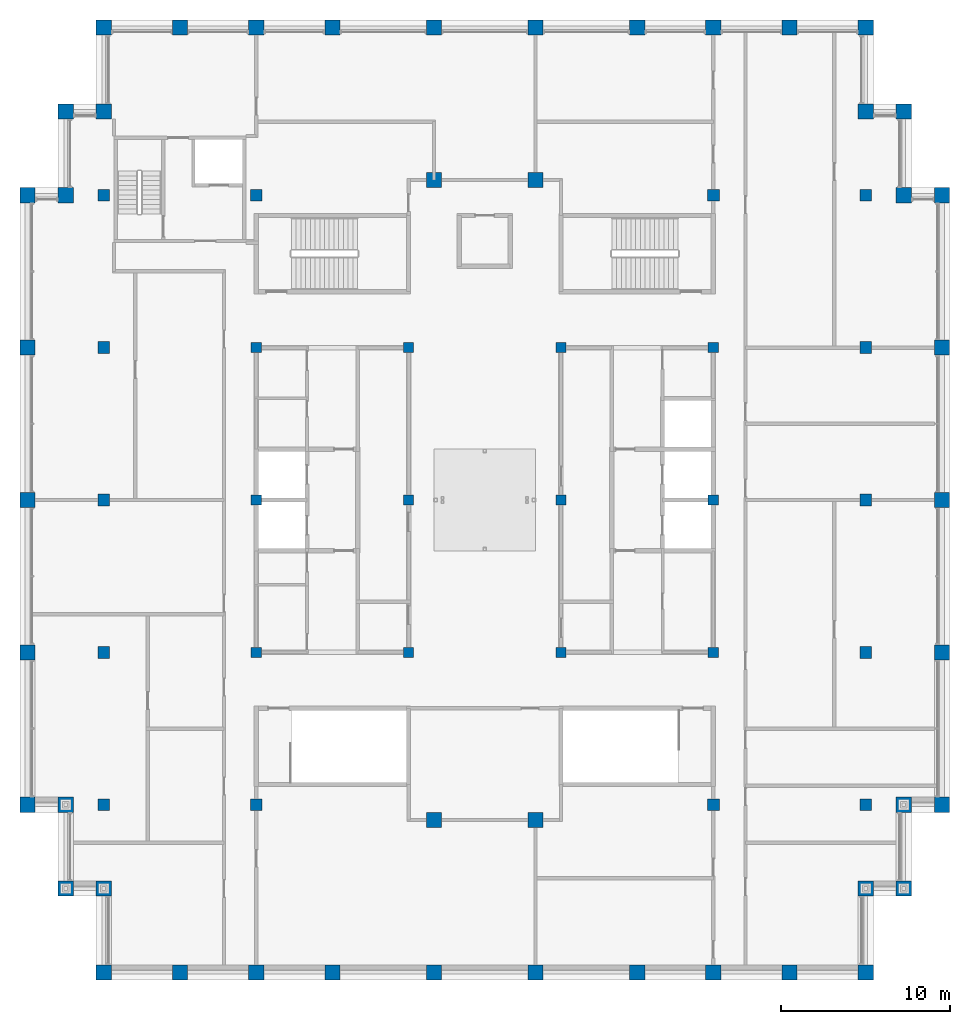
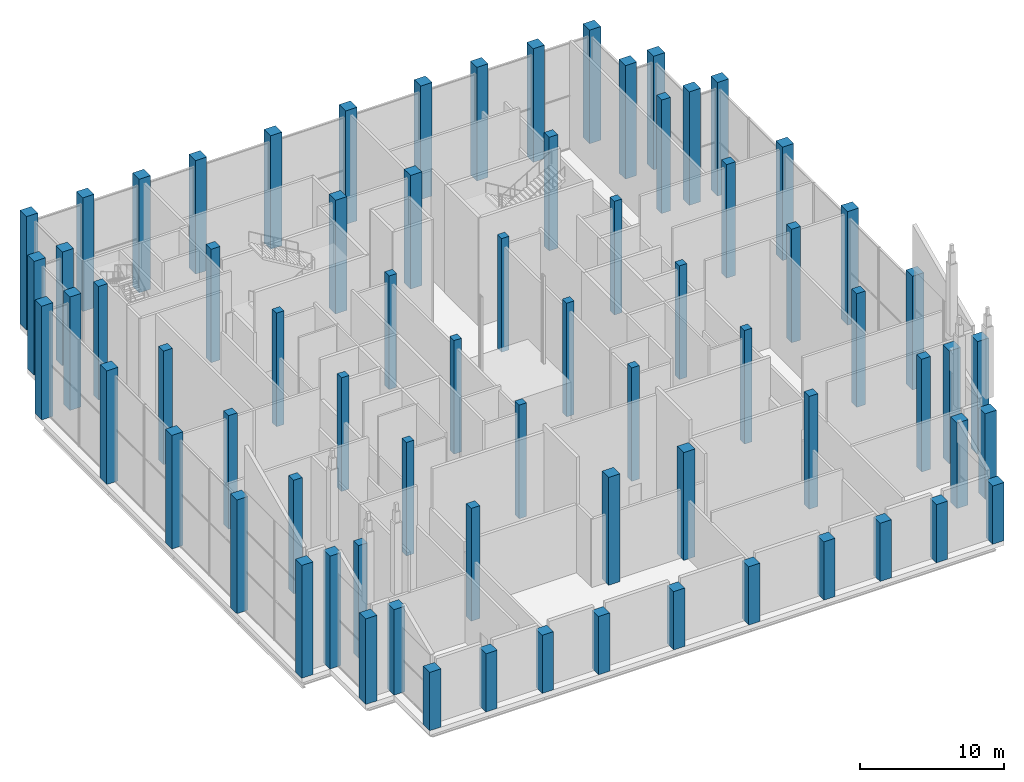
# One storey, part 1 of 16: 72 columns.
"""IFC4 building model written with IfcOpenShell, lengths in metres."""

from ifc_helpers import new_model, si_unit, direction, frame, origin, origin_2d, place, context, subcontext, project, spatial, rectangle, extrude, material, material_profile, profile_set, type_object, element, save


model = new_model("IFC4")

# Units and contexts
model_context = context("Model", 3, precision=1e-05, world=origin(), true_north=direction((0.0, 1.0)))
body_context = subcontext(model_context, "Body", "Model", "MODEL_VIEW")
ifc_project = project(units=[si_unit("LENGTHUNIT", "METRE"), si_unit("AREAUNIT", "SQUARE_METRE"), si_unit("VOLUMEUNIT", "CUBIC_METRE"), si_unit("PLANEANGLEUNIT", "RADIAN"), si_unit("MASSUNIT", "GRAM", prefix="KILO")], contexts=[model_context])

# Site, building, storey
site_placement = place(None, origin())
site = spatial("IfcSite", under=ifc_project, at=site_placement, CompositionType="ELEMENT")
building_placement = place(site_placement, origin())
building = spatial("IfcBuilding", under=site, at=building_placement, Name="Corbelhall Arena Tower", CompositionType="ELEMENT")
storey_placement = place(building_placement, frame((0.0, 0.0, 366.0)))
storey = spatial("IfcBuildingStorey", under=building, at=storey_placement, Name="L80", CompositionType="ELEMENT", Elevation=366.0)

# Columns
ifc_material = material(Name="Concrete C80/95", Category="concrete")
ifc_material_profile_1 = material_profile(ifc_material, rectangle(XDim=0.60009765625, YDim=0.60009765625, at=origin_2d()))
ifc_profile_set_1 = profile_set([ifc_material_profile_1], Name="Concrete C80/95")
column_type_1 = type_object("IfcColumnType", Name="ST-COL-RC 600x600", PredefinedType="COLUMN", material=ifc_profile_set_1)
for number, where, z_axis, x_axis, name in (
    (1, (4.5, 0.0, 0.0), (0.0, 0.0, 1.0), (1.0, 0.0, 0.0), "Column KE+0450+0000"),
    (2, (4.5, 9.0, 0.0), (0.0, 0.0, 1.0), (1.0, 0.0, 0.0), "Column KE+0450+0900"),
    (3, (4.5, -9.0, 0.0), (0.0, 0.0, 1.0), (1.0, 0.0, 0.0), "Column KE+0450-0900"),
    (4, (13.5, 0.0, 0.0), (0.0, 0.0, 1.0), (1.0, 0.0, 0.0), "Column KE+1350+0000"),
    (5, (13.5, 9.0, 0.0), (0.0, 0.0, 1.0), (1.0, 0.0, 0.0), "Column KE+1350+0900"),
    (6, (13.5, -9.0, 0.0), (0.0, 0.0, 1.0), (1.0, 0.0, 0.0), "Column KE+1350-0900"),
    (7, (-4.5, 0.0, 0.0), (0.0, 0.0, 1.0), (1.0, 0.0, 0.0), "Column KW-0450+0000"),
    (8, (-4.5, 9.0, 0.0), (0.0, 0.0, 1.0), (1.0, 0.0, 0.0), "Column KW-0450+0900"),
    (9, (-4.5, -9.0, 0.0), (0.0, 0.0, 1.0), (1.0, 0.0, 0.0), "Column KW-0450-0900"),
    (10, (-13.5, 0.0, 0.0), (0.0, 0.0, 1.0), (1.0, 0.0, 0.0), "Column KW-1350+0000"),
    (11, (-13.5, 9.0, 0.0), (0.0, 0.0, 1.0), (1.0, 0.0, 0.0), "Column KW-1350+0900"),
    (12, (-13.5, -9.0, 0.0), (0.0, 0.0, 1.0), (1.0, 0.0, 0.0), "Column KW-1350-0900"),
):
    element("IfcColumn", number, at=place(storey_placement, frame(where, z_axis=z_axis, x_axis=x_axis)), inside=storey, type_object=column_type_1, Name=name, PredefinedType="COLUMN", context=body_context, shape_type="SweptSolid", body=[
        extrude(rectangle(XDim=0.60009765625, YDim=0.60009765625, at=origin_2d()), origin(), (0.0, 0.0, 1.0), 9.599609375),
    ])
ifc_material_profile_2 = material_profile(ifc_material, rectangle(XDim=0.699951171875, YDim=0.699951171875, at=origin_2d()))
ifc_profile_set_2 = profile_set([ifc_material_profile_2], Name="Concrete C80/95")
column_type_2 = type_object("IfcColumnType", Name="ST-COL-RC 700x700", PredefinedType="COLUMN", material=ifc_profile_set_2)
column_1_placement = place(storey_placement, frame((13.5, 18.0, 0.0), z_axis=(0.0, 0.0, 1.0), x_axis=(1.0, 0.0, 0.0)))
element("IfcColumn", 13, at=column_1_placement, inside=storey, type_object=column_type_2, Name="Column IE13+1800", PredefinedType="COLUMN", context=body_context, shape_type="SweptSolid", body=[
    extrude(rectangle(XDim=0.699951171875, YDim=0.699951171875, at=origin_2d()), origin(), (0.0, 0.0, 1.0), 9.599609375),
])
column_2_placement = place(storey_placement, frame((13.5, -18.0, 0.0), z_axis=(0.0, 0.0, 1.0), x_axis=(1.0, 0.0, 0.0)))
element("IfcColumn", 14, at=column_2_placement, inside=storey, type_object=column_type_2, Name="Column IE13-1800", PredefinedType="COLUMN", context=body_context, shape_type="SweptSolid", body=[
    extrude(rectangle(XDim=0.699951171875, YDim=0.699951171875, at=origin_2d()), origin(), (0.0, 0.0, 1.0), 9.531982421875),
])
for number, where, z_axis, x_axis, name in (
    (15, (22.5, 0.0, 0.0), (0.0, 0.0, 1.0), (1.0, 0.0, 0.0), "Column IE22+0000"),
    (16, (22.5, 9.0, 0.0), (0.0, 0.0, 1.0), (1.0, 0.0, 0.0), "Column IE22+0900"),
    (17, (22.5, 18.0, 0.0), (0.0, 0.0, 1.0), (1.0, 0.0, 0.0), "Column IE22+1800"),
    (18, (22.5, -9.0, 0.0), (0.0, 0.0, 1.0), (1.0, 0.0, 0.0), "Column IE22-0900"),
):
    element("IfcColumn", number, at=place(storey_placement, frame(where, z_axis=z_axis, x_axis=x_axis)), inside=storey, type_object=column_type_2, Name=name, PredefinedType="COLUMN", context=body_context, shape_type="SweptSolid", body=[
        extrude(rectangle(XDim=0.699951171875, YDim=0.699951171875, at=origin_2d()), origin(), (0.0, 0.0, 1.0), 9.599609375),
    ])
column_3_placement = place(storey_placement, frame((22.5, -18.0, 0.0), z_axis=(0.0, 0.0, 1.0), x_axis=(1.0, 0.0, 0.0)))
element("IfcColumn", 19, at=column_3_placement, inside=storey, type_object=column_type_2, Name="Column IE22-1800", PredefinedType="COLUMN", context=body_context, shape_type="SweptSolid", body=[
    extrude(rectangle(XDim=0.699951171875, YDim=0.699951171875, at=origin_2d()), origin(), (0.0, 0.0, 1.0), 9.531982421875),
])
column_4_placement = place(storey_placement, frame((-13.5, 18.0, 0.0), z_axis=(0.0, 0.0, 1.0), x_axis=(1.0, 0.0, 0.0)))
element("IfcColumn", 20, at=column_4_placement, inside=storey, type_object=column_type_2, Name="Column IW13+1800", PredefinedType="COLUMN", context=body_context, shape_type="SweptSolid", body=[
    extrude(rectangle(XDim=0.699951171875, YDim=0.699951171875, at=origin_2d()), origin(), (0.0, 0.0, 1.0), 9.599609375),
])
column_5_placement = place(storey_placement, frame((-13.5, -18.0, 0.0), z_axis=(0.0, 0.0, 1.0), x_axis=(1.0, 0.0, 0.0)))
element("IfcColumn", 21, at=column_5_placement, inside=storey, type_object=column_type_2, Name="Column IW13-1800", PredefinedType="COLUMN", context=body_context, shape_type="SweptSolid", body=[
    extrude(rectangle(XDim=0.699951171875, YDim=0.699951171875, at=origin_2d()), origin(), (0.0, 0.0, 1.0), 9.531982421875),
])
for number, where, z_axis, x_axis, name in (
    (22, (-22.5, 0.0, 0.0), (0.0, 0.0, 1.0), (1.0, 0.0, 0.0), "Column IW22+0000"),
    (23, (-22.5, 9.0, 0.0), (0.0, 0.0, 1.0), (1.0, 0.0, 0.0), "Column IW22+0900"),
    (24, (-22.5, 18.0, 0.0), (0.0, 0.0, 1.0), (1.0, 0.0, 0.0), "Column IW22+1800"),
    (25, (-22.5, -9.0, 0.0), (0.0, 0.0, 1.0), (1.0, 0.0, 0.0), "Column IW22-0900"),
):
    element("IfcColumn", number, at=place(storey_placement, frame(where, z_axis=z_axis, x_axis=x_axis)), inside=storey, type_object=column_type_2, Name=name, PredefinedType="COLUMN", context=body_context, shape_type="SweptSolid", body=[
        extrude(rectangle(XDim=0.699951171875, YDim=0.699951171875, at=origin_2d()), origin(), (0.0, 0.0, 1.0), 9.599609375),
    ])
column_6_placement = place(storey_placement, frame((-22.5, -18.0, 0.0), z_axis=(0.0, 0.0, 1.0), x_axis=(1.0, 0.0, 0.0)))
element("IfcColumn", 26, at=column_6_placement, inside=storey, type_object=column_type_2, Name="Column IW22-1800", PredefinedType="COLUMN", context=body_context, shape_type="SweptSolid", body=[
    extrude(rectangle(XDim=0.699951171875, YDim=0.699951171875, at=origin_2d()), origin(), (0.0, 0.0, 1.0), 9.531982421875),
])
ifc_material_profile_3 = material_profile(ifc_material, rectangle(XDim=0.89990234375, YDim=0.89990234375, at=origin_2d()))
ifc_profile_set_3 = profile_set([ifc_material_profile_3], Name="Concrete C80/95")
column_type_3 = type_object("IfcColumnType", Name="ST-COL-RC 900x900", PredefinedType="COLUMN", material=ifc_profile_set_3)
for number, where, z_axis, x_axis, name in (
    (27, (27.0, 0.0, 0.0), (0.0, 0.0, 1.0), (0.0, 1.0, 0.0), "Column PE+0000"),
    (28, (27.0, 9.0, 0.0), (0.0, 0.0, 1.0), (0.0, 1.0, 0.0), "Column PE+0900"),
    (29, (27.0, 18.0, 0.0), (0.0, 0.0, 1.0), (0.0, 1.0, 0.0), "Column PE+1800"),
    (30, (27.0, -9.0, 0.0), (0.0, 0.0, 1.0), (0.0, 1.0, 0.0), "Column PE-0900"),
):
    element("IfcColumn", number, at=place(storey_placement, frame(where, z_axis=z_axis, x_axis=x_axis)), inside=storey, type_object=column_type_3, Name=name, PredefinedType="COLUMN", context=body_context, shape_type="SweptSolid", body=[
        extrude(rectangle(XDim=0.89990234375, YDim=0.89990234375, at=origin_2d()), origin(), (0.0, 0.0, 1.0), 9.599609375),
    ])
column_7_placement = place(storey_placement, frame((27.0, -18.0, 0.0), z_axis=(0.0, 0.0, 1.0), x_axis=(0.0, 1.0, 0.0)))
element("IfcColumn", 31, at=column_7_placement, inside=storey, type_object=column_type_3, Name="Column PE-1800", PredefinedType="COLUMN", context=body_context, shape_type="SweptSolid", body=[
    extrude(rectangle(XDim=0.89990234375, YDim=0.89990234375, at=origin_2d()), origin(), (0.0, 0.0, 1.0), 9.531982421875),
])
for number, where, z_axis, x_axis, name in (
    (32, (3.0, 27.89990234375, 0.0), (0.0, 0.0, 1.0), (1.0, 0.0, 0.0), "Column PNE0300"),
    (33, (9.0, 27.89990234375, 0.0), (0.0, 0.0, 1.0), (1.0, 0.0, 0.0), "Column PNE0900"),
    (34, (13.5, 27.89990234375, 0.0), (0.0, 0.0, 1.0), (1.0, 0.0, 0.0), "Column PNE1350"),
    (35, (18.0, 27.89990234375, 0.0), (0.0, 0.0, 1.0), (1.0, 0.0, 0.0), "Column PNE1800"),
    (36, (22.5, 27.89990234375, 0.0), (0.0, 0.0, 1.0), (1.0, 0.0, 0.0), "Column PNE2250"),
    (37, (-3.0, 27.89990234375, 0.0), (0.0, 0.0, 1.0), (1.0, 0.0, 0.0), "Column PNW0300"),
    (38, (-9.0, 27.89990234375, 0.0), (0.0, 0.0, 1.0), (1.0, 0.0, 0.0), "Column PNW0900"),
    (39, (-13.5, 27.89990234375, 0.0), (0.0, 0.0, 1.0), (1.0, 0.0, 0.0), "Column PNW1350"),
    (40, (-18.0, 27.89990234375, 0.0), (0.0, 0.0, 1.0), (1.0, 0.0, 0.0), "Column PNW1800"),
    (41, (-22.5, 27.89990234375, 0.0), (0.0, 0.0, 1.0), (1.0, 0.0, 0.0), "Column PNW2250"),
):
    element("IfcColumn", number, at=place(storey_placement, frame(where, z_axis=z_axis, x_axis=x_axis)), inside=storey, type_object=column_type_3, Name=name, PredefinedType="COLUMN", context=body_context, shape_type="SweptSolid", body=[
        extrude(rectangle(XDim=0.89990234375, YDim=0.89990234375, at=origin_2d()), origin(), (0.0, 0.0, 1.0), 9.599609375),
    ])
for number, where, z_axis, x_axis, name in (
    (42, (3.0, -27.89990234375, 0.0), (0.0, 0.0, 1.0), (1.0, 0.0, 0.0), "Column PSE0300"),
    (43, (9.0, -27.89990234375, 0.0), (0.0, 0.0, 1.0), (1.0, 0.0, 0.0), "Column PSE0900"),
    (44, (13.5, -27.89990234375, 0.0), (0.0, 0.0, 1.0), (1.0, 0.0, 0.0), "Column PSE1350"),
    (45, (18.0, -27.89990234375, 0.0), (0.0, 0.0, 1.0), (1.0, 0.0, 0.0), "Column PSE1800"),
    (46, (22.5, -27.89990234375, 0.0), (0.0, 0.0, 1.0), (1.0, 0.0, 0.0), "Column PSE2250"),
    (47, (-3.0, -27.89990234375, 0.0), (0.0, 0.0, 1.0), (1.0, 0.0, 0.0), "Column PSW0300"),
    (48, (-9.0, -27.89990234375, 0.0), (0.0, 0.0, 1.0), (1.0, 0.0, 0.0), "Column PSW0900"),
    (49, (-13.5, -27.89990234375, 0.0), (0.0, 0.0, 1.0), (1.0, 0.0, 0.0), "Column PSW1350"),
    (50, (-18.0, -27.89990234375, 0.0), (0.0, 0.0, 1.0), (1.0, 0.0, 0.0), "Column PSW1800"),
    (51, (-22.5, -27.89990234375, 0.0), (0.0, 0.0, 1.0), (1.0, 0.0, 0.0), "Column PSW2250"),
):
    element("IfcColumn", number, at=place(storey_placement, frame(where, z_axis=z_axis, x_axis=x_axis)), inside=storey, type_object=column_type_3, Name=name, PredefinedType="COLUMN", context=body_context, shape_type="SweptSolid", body=[
        extrude(rectangle(XDim=0.89990234375, YDim=0.89990234375, at=origin_2d()), origin(), (0.0, 0.0, 1.0), 4.9189453125),
    ])
for number, where, z_axis, x_axis, name in (
    (52, (-27.0, 0.0, 0.0), (0.0, 0.0, 1.0), (0.0, 1.0, 0.0), "Column PW+0000"),
    (53, (-27.0, 9.0, 0.0), (0.0, 0.0, 1.0), (0.0, 1.0, 0.0), "Column PW+0900"),
    (54, (-27.0, 18.0, 0.0), (0.0, 0.0, 1.0), (0.0, 1.0, 0.0), "Column PW+1800"),
    (55, (-27.0, -9.0, 0.0), (0.0, 0.0, 1.0), (0.0, 1.0, 0.0), "Column PW-0900"),
):
    element("IfcColumn", number, at=place(storey_placement, frame(where, z_axis=z_axis, x_axis=x_axis)), inside=storey, type_object=column_type_3, Name=name, PredefinedType="COLUMN", context=body_context, shape_type="SweptSolid", body=[
        extrude(rectangle(XDim=0.89990234375, YDim=0.89990234375, at=origin_2d()), origin(), (0.0, 0.0, 1.0), 9.599609375),
    ])
column_8_placement = place(storey_placement, frame((-27.0, -18.0, 0.0), z_axis=(0.0, 0.0, 1.0), x_axis=(0.0, 1.0, 0.0)))
element("IfcColumn", 56, at=column_8_placement, inside=storey, type_object=column_type_3, Name="Column PW-1800", PredefinedType="COLUMN", context=body_context, shape_type="SweptSolid", body=[
    extrude(rectangle(XDim=0.89990234375, YDim=0.89990234375, at=origin_2d()), origin(), (0.0, 0.0, 1.0), 9.531982421875),
])
for number, where, z_axis, x_axis, name in (
    (57, (3.0, 18.89990234375, 0.0), (0.0, 0.0, 1.0), (1.0, 0.0, 0.0), "Column SLNE2"),
    (58, (-3.0, 18.89990234375, 0.0), (0.0, 0.0, 1.0), (1.0, 0.0, 0.0), "Column SLNW2"),
):
    element("IfcColumn", number, at=place(storey_placement, frame(where, z_axis=z_axis, x_axis=x_axis)), inside=storey, type_object=column_type_3, Name=name, PredefinedType="COLUMN", context=body_context, shape_type="SweptSolid", body=[
        extrude(rectangle(XDim=0.89990234375, YDim=0.89990234375, at=origin_2d()), origin(), (0.0, 0.0, 1.0), 9.599609375),
    ])
for number, where, z_axis, x_axis, name in (
    (59, (3.0, -18.89990234375, 0.0), (0.0, 0.0, 1.0), (1.0, 0.0, 0.0), "Column SLSE2"),
    (60, (-3.0, -18.89990234375, 0.0), (0.0, 0.0, 1.0), (1.0, 0.0, 0.0), "Column SLSW2"),
):
    element("IfcColumn", number, at=place(storey_placement, frame(where, z_axis=z_axis, x_axis=x_axis)), inside=storey, type_object=column_type_3, Name=name, PredefinedType="COLUMN", context=body_context, shape_type="SweptSolid", body=[
        extrude(rectangle(XDim=0.89990234375, YDim=0.89990234375, at=origin_2d()), origin(), (0.0, 0.0, 1.0), 9.112548828125),
    ])
for number, where, z_axis, x_axis, name in (
    (61, (22.5, 22.949951171875, 0.0), (0.0, 0.0, 1.0), (1.0, 0.0, 0.0), "Column XNE1"),
    (62, (24.75, 22.949951171875, 0.0), (0.0, 0.0, 1.0), (1.0, 0.0, 0.0), "Column XNE2"),
    (63, (24.75, 18.0, 0.0), (0.0, 0.0, 1.0), (1.0, 0.0, 0.0), "Column XNE3"),
    (64, (-22.5, 22.949951171875, 0.0), (0.0, 0.0, 1.0), (1.0, 0.0, 0.0), "Column XNW1"),
    (65, (-24.75, 22.949951171875, 0.0), (0.0, 0.0, 1.0), (1.0, 0.0, 0.0), "Column XNW2"),
    (66, (-24.75, 18.0, 0.0), (0.0, 0.0, 1.0), (1.0, 0.0, 0.0), "Column XNW3"),
):
    element("IfcColumn", number, at=place(storey_placement, frame(where, z_axis=z_axis, x_axis=x_axis)), inside=storey, type_object=column_type_3, Name=name, PredefinedType="COLUMN", context=body_context, shape_type="SweptSolid", body=[
        extrude(rectangle(XDim=0.89990234375, YDim=0.89990234375, at=origin_2d()), origin(), (0.0, 0.0, 1.0), 9.599609375),
    ])
for number, where, z_axis, x_axis, name in (
    (67, (22.5, -22.949951171875, 0.0), (0.0, 0.0, 1.0), (1.0, 0.0, 0.0), "Column XSE1"),
    (68, (24.75, -22.949951171875, 0.0), (0.0, 0.0, 1.0), (1.0, 0.0, 0.0), "Column XSE2"),
):
    element("IfcColumn", number, at=place(storey_placement, frame(where, z_axis=z_axis, x_axis=x_axis)), inside=storey, type_object=column_type_3, Name=name, PredefinedType="COLUMN", context=body_context, shape_type="SweptSolid", body=[
        extrude(rectangle(XDim=0.89990234375, YDim=0.89990234375, at=origin_2d()), origin(), (0.0, 0.0, 1.0), 7.225341796875),
    ])
column_9_placement = place(storey_placement, frame((24.75, -18.0, 0.0), z_axis=(0.0, 0.0, 1.0), x_axis=(1.0, 0.0, 0.0)))
element("IfcColumn", 69, at=column_9_placement, inside=storey, type_object=column_type_3, Name="Column XSE3", PredefinedType="COLUMN", context=body_context, shape_type="SweptSolid", body=[
    extrude(rectangle(XDim=0.89990234375, YDim=0.89990234375, at=origin_2d()), origin(), (0.0, 0.0, 1.0), 9.531982421875),
])
for number, where, z_axis, x_axis, name in (
    (70, (-22.5, -22.949951171875, 0.0), (0.0, 0.0, 1.0), (1.0, 0.0, 0.0), "Column XSW1"),
    (71, (-24.75, -22.949951171875, 0.0), (0.0, 0.0, 1.0), (1.0, 0.0, 0.0), "Column XSW2"),
):
    element("IfcColumn", number, at=place(storey_placement, frame(where, z_axis=z_axis, x_axis=x_axis)), inside=storey, type_object=column_type_3, Name=name, PredefinedType="COLUMN", context=body_context, shape_type="SweptSolid", body=[
        extrude(rectangle(XDim=0.89990234375, YDim=0.89990234375, at=origin_2d()), origin(), (0.0, 0.0, 1.0), 7.225341796875),
    ])
column_10_placement = place(storey_placement, frame((-24.75, -18.0, 0.0), z_axis=(0.0, 0.0, 1.0), x_axis=(1.0, 0.0, 0.0)))
element("IfcColumn", 72, at=column_10_placement, inside=storey, type_object=column_type_3, Name="Column XSW3", PredefinedType="COLUMN", context=body_context, shape_type="SweptSolid", body=[
    extrude(rectangle(XDim=0.89990234375, YDim=0.89990234375, at=origin_2d()), origin(), (0.0, 0.0, 1.0), 9.531982421875),
])

save(model, "model.ifc")
